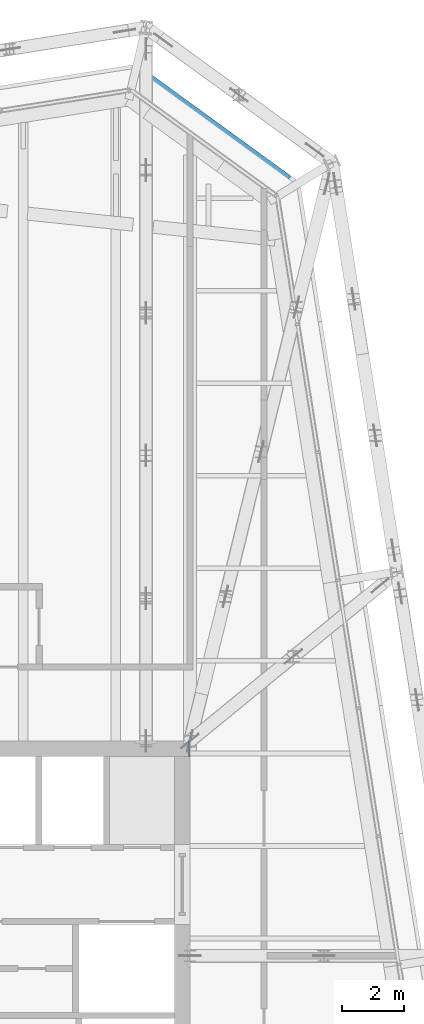
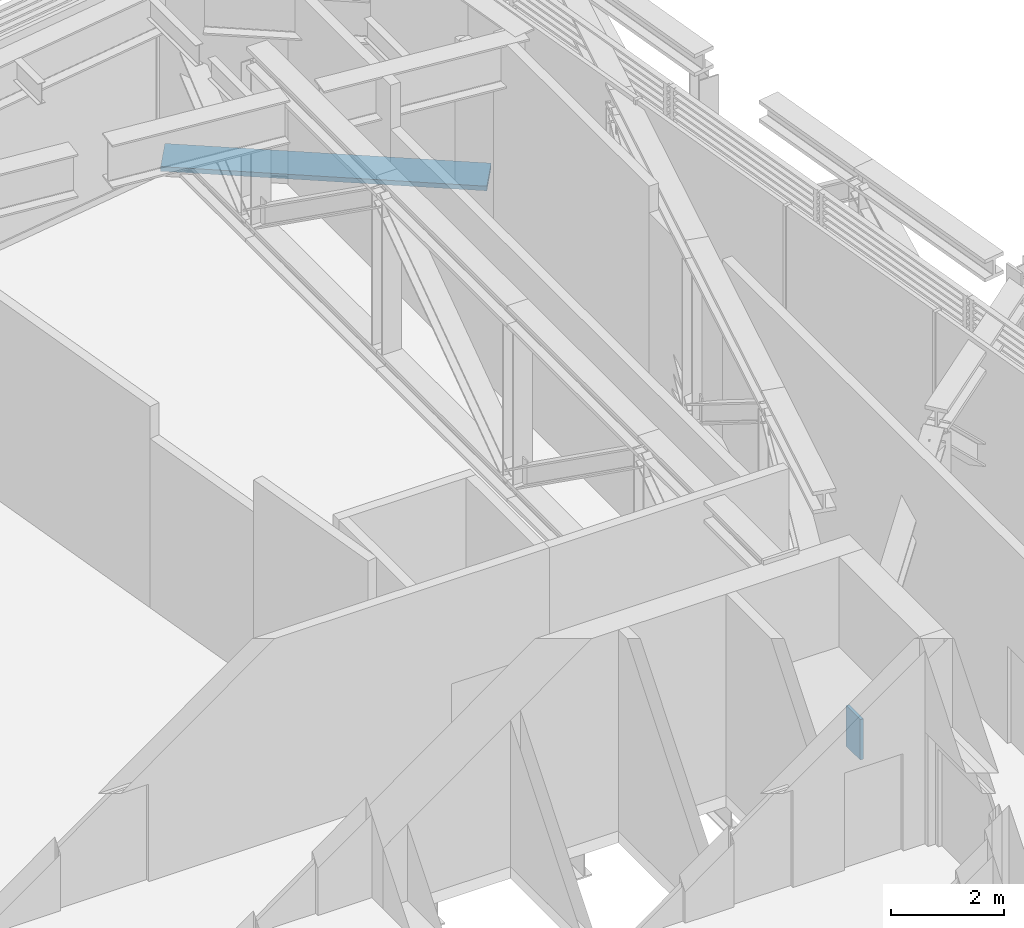
# One storey, part 26 of 32: 2 discrete accessories.
"""IFC4 building model written with IfcOpenShell, lengths in metres."""

from ifc_helpers import new_model, si_unit, direction, frame, origin, origin_2d, place, context, subcontext, project, spatial, rectangle, extrude, material, layer, layer_set, type_object, element, save


model = new_model("IFC4")

# Units and contexts
model_context = context("Model", 3, precision=1e-05, world=origin(), true_north=direction((0.0, 1.0)))
body_context = subcontext(model_context, "Body", "Model", "MODEL_VIEW")
ifc_project = project(units=[si_unit("LENGTHUNIT", "METRE"), si_unit("AREAUNIT", "SQUARE_METRE"), si_unit("VOLUMEUNIT", "CUBIC_METRE"), si_unit("PLANEANGLEUNIT", "RADIAN"), si_unit("MASSUNIT", "GRAM", prefix="KILO")], contexts=[model_context])

# Site, building, storey
site_placement = place(None, origin())
site = spatial("IfcSite", under=ifc_project, at=site_placement, CompositionType="ELEMENT")
building_placement = place(site_placement, origin())
building = spatial("IfcBuilding", under=site, at=building_placement, Name="Millrace Tower", CompositionType="ELEMENT")
storey_placement = place(building_placement, frame((0.0, 0.0, 266.89990234375)))
storey = spatial("IfcBuildingStorey", under=building, at=storey_placement, Name="L61", CompositionType="ELEMENT", Elevation=266.89990234375)

# Discrete accessories
ifc_material_1 = material(Name="Steel ASTM A572 Grade 50", Category="steel")
ifc_layer = layer(ifc_material_1, 0.06494140625)
ifc_layer_set = layer_set([ifc_layer], Name="Steel ASTM A572 Grade 50")
discrete_accessory_type_1 = type_object("IfcDiscreteAccessoryType", Name="Cast-in anchor plate 500x875x65", PredefinedType="ANCHORPLATE", material=ifc_layer_set)
discrete_accessory_1_placement = place(storey_placement, frame((14.3349609375, 9.14990234375, 0.237548828125), z_axis=(1.0, 0.0, 0.0), x_axis=(0.0, 1.0, 0.0)))
element("IfcDiscreteAccessory", 1, at=discrete_accessory_1_placement, inside=storey, type_object=discrete_accessory_type_1, Name="Cast-in anchor plate BLT-L61-O08-B01", PredefinedType="ANCHORPLATE", context=body_context, shape_type="SweptSolid", body=[
    extrude(rectangle(XDim=0.5, YDim=0.875, at=origin_2d()), origin(), (0.0, 0.0, 1.0), 0.06494140625),
])
ifc_material_2 = material(Name="Stainless steel ASTM A240 type 316", Category="steel")
discrete_accessory_type_2 = type_object("IfcDiscreteAccessoryType", Name="Thermally broken screen support rail", PredefinedType="BRACKET", material=ifc_material_2)
discrete_accessory_2_placement = place(storey_placement, frame((15.114501953125, 29.132080078125, 0.0), z_axis=(0.0, 0.0, 1.0), x_axis=(-0.809016955361, 0.587785305991, 0.0)))
element("IfcDiscreteAccessory", 2, at=discrete_accessory_2_placement, inside=storey, type_object=discrete_accessory_type_2, Name="Thermally broken screen support rail D-F05 L61 1", PredefinedType="BRACKET", context=body_context, shape_type="SweptSolid", body=[
    extrude(rectangle(XDim=5.79833984375, YDim=0.719970703125, at=origin_2d()), origin(), (0.0, 0.0, 1.0), 0.10009765625),
])

save(model, "model.ifc")
